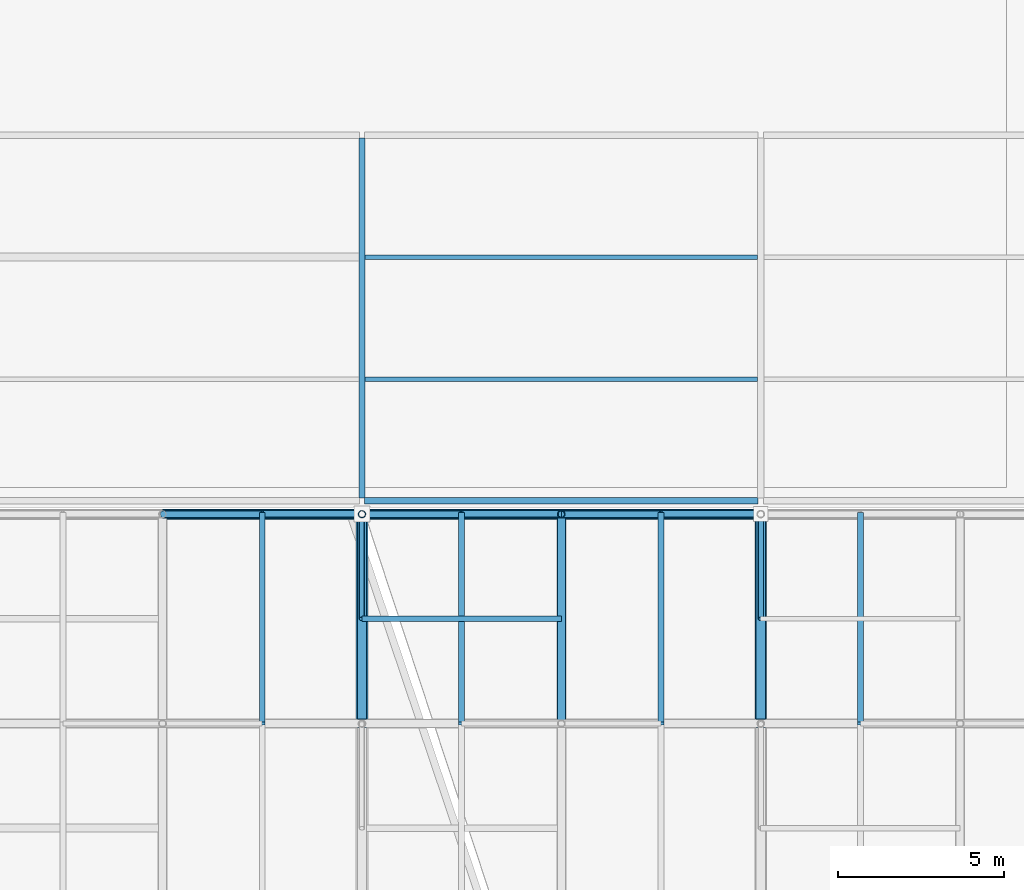
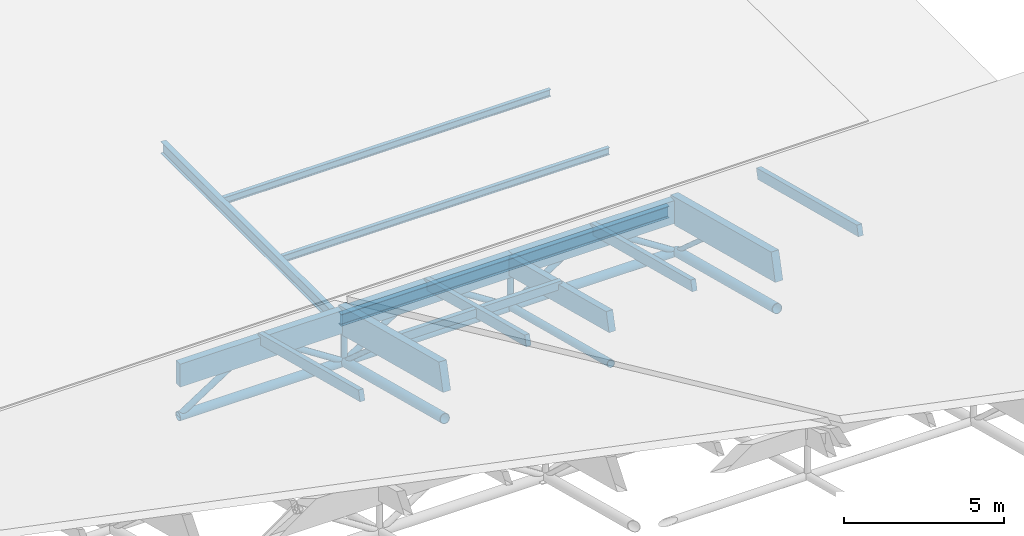
# One storey, part 57 of 80: 27 members, 4 beams.
"""IFC4 building model written with IfcOpenShell, lengths in metres."""

import ifcopenshell
import ifcopenshell.guid

model = None  # the IFC model being written
_history = None  # IfcOwnerHistory: only IFC2X3 demands one
_inside = {}  # id of a spatial element -> (the spatial element, [elements in it])
_under = {}  # id of a project, library or spatial element -> (it, [spatial elements below it])
_declared = {}  # id of a project -> (the project, [libraries it declares])
_typed = {}  # id of a type object -> (the type object, [elements of that type])
_made_of = {}  # id of a material, layer set ... -> (it, [elements and type objects made of it])


def new_model(schema):
    """Start an empty IFC model of exactly this schema.

    Asked for "IFC4X3", IfcOpenShell would pick the latest addendum, in which some entities
    have other attributes; the version numbers below select the first issue.
    IFC2X3 requires an IfcOwnerHistory on every rooted entity: one is made here for all.
    """
    global model, _history
    if schema == "IFC4X3":
        model = ifcopenshell.file(schema_version=(4, 3, 0, 0))
    else:
        model = ifcopenshell.file(schema=schema)
    _inside.clear()
    _under.clear()
    _declared.clear()
    _typed.clear()
    _made_of.clear()
    _history = None
    if model.schema == "IFC2X3":
        org = make("IfcOrganization", Name="unknown")
        user = make(
            "IfcPersonAndOrganization",
            ThePerson=make("IfcPerson", FamilyName="unknown"),
            TheOrganization=org,
        )
        app = make(
            "IfcApplication",
            ApplicationDeveloper=org,
            Version="unknown",
            ApplicationFullName="unknown",
            ApplicationIdentifier="unknown",
        )
        _history = make(
            "IfcOwnerHistory",
            OwningUser=user,
            OwningApplication=app,
            ChangeAction="ADDED",
            CreationDate=0,
        )
    return model


def make(cls, **values):
    """One entity of the class cls with the attributes given. An attribute that is None is left unset."""
    return model.create_entity(
        cls, **{name: value for name, value in values.items() if value is not None}
    )


def rooted(cls, **values):
    """An entity with a GlobalId (a new one), such as an element, a storey or a relation."""
    return make(cls, GlobalId=ifcopenshell.guid.new(), OwnerHistory=_history, **values)


def si_unit(unit_type, name, prefix=None):
    """IfcSIUnit, for example si_unit("LENGTHUNIT", "METRE", prefix="MILLI")."""
    return make("IfcSIUnit", UnitType=unit_type, Prefix=prefix, Name=name)


def assignment(units):
    """IfcUnitAssignment: the units of a project."""
    return None if units is None else make("IfcUnitAssignment", Units=units)


def point(xyz):
    """IfcCartesianPoint."""
    return None if xyz is None else make("IfcCartesianPoint", Coordinates=xyz)


def direction(xyz):
    """IfcDirection."""
    return None if xyz is None else make("IfcDirection", DirectionRatios=xyz)


def frame(location, z_axis=None, x_axis=None):
    """IfcAxis2Placement3D, a coordinate frame: its origin and axes. An axis left out is left unset."""
    return make(
        "IfcAxis2Placement3D",
        Location=point(location),
        Axis=direction(z_axis),
        RefDirection=direction(x_axis),
    )


def frame_2d(location, x_axis=None):
    """IfcAxis2Placement2D, a coordinate frame in the plane: its origin and x axis."""
    return make(
        "IfcAxis2Placement2D", Location=point(location), RefDirection=direction(x_axis)
    )


def origin():
    """The frame at (0, 0, 0) with its axes left unset."""
    return frame((0.0, 0.0, 0.0))


def origin_2d():
    """The frame at (0, 0) in the plane with its x axis left unset."""
    return frame_2d((0.0, 0.0))


def place(relative_to, where):
    """IfcLocalPlacement: puts the frame where relative to a parent placement (None: the world)."""
    return make(
        "IfcLocalPlacement", PlacementRelTo=relative_to, RelativePlacement=where
    )


def context(
    kind, dimensions, precision=None, world=None, true_north=None, identifier=None
):
    """IfcGeometricRepresentationContext, for example the 3D "Model" context."""
    return make(
        "IfcGeometricRepresentationContext",
        ContextIdentifier=identifier,
        ContextType=kind,
        CoordinateSpaceDimension=dimensions,
        Precision=precision,
        WorldCoordinateSystem=world,
        TrueNorth=true_north,
    )


def subcontext(parent, identifier, kind, view, scale=None):
    """IfcGeometricRepresentationSubContext, for example "Body" below "Model"."""
    return make(
        "IfcGeometricRepresentationSubContext",
        ContextIdentifier=identifier,
        ContextType=kind,
        ParentContext=parent,
        TargetScale=scale,
        TargetView=view,
    )


def project(units=None, contexts=None):
    """IfcProject with its units and contexts."""
    return rooted(
        "IfcProject",
        Name="project",
        RepresentationContexts=contexts,
        UnitsInContext=assignment(units),
    )


def spatial(cls, under=None, at=None, **own):
    """A site, building, storey or space (cls), placed at a placement, below another one or the project."""
    s = rooted(cls, ObjectPlacement=at, **own)
    if under is not None:
        _under.setdefault(under.id(), (under, []))[1].append(s)
    return s


def profile(cls, at=None, kind="AREA", **sizes):
    """A parametric profile (cls). Its sizes go by their IFC names, for example OverallWidth=200.0."""
    return make(cls, ProfileType=kind, Position=at, **sizes)


def rectangle(**sizes):
    """IfcRectangleProfileDef."""
    return profile("IfcRectangleProfileDef", **sizes)


def hollow_circle(**sizes):
    """IfcCircleHollowProfileDef."""
    return profile("IfcCircleHollowProfileDef", **sizes)


def i_section(**sizes):
    """IfcIShapeProfileDef."""
    return profile("IfcIShapeProfileDef", **sizes)


def extrude(swept, where, along, depth):
    """IfcExtrudedAreaSolid: the profile swept, set in the frame where, extruded along a direction by depth."""
    return make(
        "IfcExtrudedAreaSolid",
        SweptArea=swept,
        Position=where,
        ExtrudedDirection=direction(along),
        Depth=depth,
    )


def shape(context_of_items, identifier, shape_type, items):
    """IfcShapeRepresentation: the items that make up one representation, for example the "Body"."""
    return make(
        "IfcShapeRepresentation",
        ContextOfItems=context_of_items,
        RepresentationIdentifier=identifier,
        RepresentationType=shape_type,
        Items=items,
    )


def material(Name=None, Category=None):
    """IfcMaterial."""
    return make("IfcMaterial", Name=Name, Category=Category)


def material_profile(
    of_material, cross_section, Name=None, Category=None, Priority=None
):
    """IfcMaterialProfile: a cross section and its material."""
    return make(
        "IfcMaterialProfile",
        Name=Name,
        Material=of_material,
        Profile=cross_section,
        Priority=Priority,
        Category=Category,
    )


def profile_set(profiles, Name=None, composite=None):
    """IfcMaterialProfileSet."""
    return make(
        "IfcMaterialProfileSet",
        Name=Name,
        MaterialProfiles=profiles,
        CompositeProfile=composite,
    )


def made_of(thing, what):
    """Note that an element or type object is made of a material, layer set ...; save() writes the relation."""
    if what is not None:
        _made_of.setdefault(what.id(), (what, []))[1].append(thing)
    return thing


def type_object(cls, material=None, **own):
    """A type object (cls), such as IfcWallType, which elements share."""
    return made_of(rooted(cls, **own), material)


def element(
    cls,
    number,
    at=None,
    inside=None,
    cuts=None,
    type_object=None,
    material=None,
    context=None,
    identifier="Body",
    shape_type=None,
    held_by="IfcProductDefinitionShape",
    body=None,
    shapes=None,
    **own,
):
    """One element of the class cls, such as IfcWall. Its Tag is "e" and its number.

    at: its placement. inside: the storey or other place that contains it. cuts: it is an
    opening in that element (IfcRelVoidsElement). A single representation is given by context,
    identifier, shape_type and body (its items); several are given by shapes. held_by: the class
    of the entity that holds the representations. save() writes the other relations.
    """
    e = rooted(cls, Tag="e%d" % number, ObjectPlacement=at, **own)
    if body is not None:
        shapes = [shape(context, identifier, shape_type, body)]
    if shapes is not None:
        e.Representation = make(held_by, Representations=shapes)
    if inside is not None:
        _inside.setdefault(inside.id(), (inside, []))[1].append(e)
    if cuts is not None:
        rooted(
            "IfcRelVoidsElement", RelatingBuildingElement=cuts, RelatedOpeningElement=e
        )
    if type_object is not None:
        _typed.setdefault(type_object.id(), (type_object, []))[1].append(e)
    return made_of(e, material)


def aggregate(whole, parts):
    """IfcRelAggregates: a whole, such as a stair, and the parts it consists of."""
    return rooted("IfcRelAggregates", RelatingObject=whole, RelatedObjects=parts)


def save(model, path):
    """Write the relations noted so far, then the file.

    IfcRelAggregates (storeys below a building ...), IfcRelContainedInSpatialStructure (elements
    in a storey), IfcRelDefinesByType, IfcRelAssociatesMaterial and IfcRelDeclares: one each for
    every whole, place, type object, material and project.
    """
    for whole, parts in _under.values():
        aggregate(whole, parts)
    for where, things in _inside.values():
        rooted(
            "IfcRelContainedInSpatialStructure",
            RelatedElements=things,
            RelatingStructure=where,
        )
    for kind, things in _typed.values():
        rooted("IfcRelDefinesByType", RelatedObjects=things, RelatingType=kind)
    for what, things in _made_of.values():
        rooted("IfcRelAssociatesMaterial", RelatedObjects=things, RelatingMaterial=what)
    for by, libraries in _declared.values():
        rooted("IfcRelDeclares", RelatingContext=by, RelatedDefinitions=libraries)
    model.write(path)


model = new_model("IFC4")

# Units and contexts
model_context = context("Model", 3, precision=1e-05, world=origin(), true_north=direction((0.0, 1.0)))
body_context = subcontext(model_context, "Body", "Model", "MODEL_VIEW")
ifc_project = project(units=[si_unit("LENGTHUNIT", "METRE"), si_unit("AREAUNIT", "SQUARE_METRE"), si_unit("VOLUMEUNIT", "CUBIC_METRE"), si_unit("PLANEANGLEUNIT", "RADIAN"), si_unit("MASSUNIT", "GRAM", prefix="KILO"), si_unit("THERMODYNAMICTEMPERATUREUNIT", "KELVIN"), si_unit("POWERUNIT", "WATT")], contexts=[model_context])

# Site, building, storey
site_placement = place(None, origin())
site = spatial("IfcSite", under=ifc_project, at=site_placement, CompositionType="ELEMENT")
building_placement = place(site_placement, origin())
building = spatial("IfcBuilding", under=site, at=building_placement, Name="Solmara Park Aquatics Centre", CompositionType="ELEMENT")
storey_placement = place(building_placement, frame((0.0, 0.0, 22.800048828125)))
storey = spatial("IfcBuildingStorey", under=building, at=storey_placement, Name="RF", CompositionType="ELEMENT", Elevation=22.800048828125)

# Beams
ifc_material_1 = material(Name="Structural Steel S355", Category="steel")
ifc_material_profile_1 = material_profile(ifc_material_1, i_section(OverallWidth=0.18994140625, OverallDepth=0.449951171875, WebThickness=0.009521484375, FlangeThickness=0.0146484375, FilletRadius=0.02099609375, at=origin_2d()), Name="IPE 450")
ifc_profile_set_1 = profile_set([ifc_material_profile_1], Name="Structural Steel S355")
beam_type_1 = type_object("IfcBeamType", Name="STR-BM-IPE450", PredefinedType="BEAM", material=ifc_profile_set_1)
beam_1_placement = place(storey_placement, frame((36.679931640625, 85.60009765625, -13.06494140625), z_axis=(1.0, 0.0, 0.0), x_axis=(0.0, 1.0, 0.0)))
element("IfcBeam", 1, at=beam_1_placement, inside=storey, type_object=beam_type_1, Name="Girder BM-RF-0551", PredefinedType="BEAM", context=body_context, shape_type="SweptSolid", body=[
    extrude(i_section(OverallWidth=0.18994140625, OverallDepth=0.449951171875, WebThickness=0.009521484375, FlangeThickness=0.0146484375, FilletRadius=0.02099609375, at=origin_2d()), origin(), (0.0, 0.0, 1.0), 11.840087890625),
])
beam_2_placement = place(storey_placement, frame((36.60009765625, 85.679931640625, -13.06494140625), z_axis=(0.0, 1.0, 0.0), x_axis=(-1.0, 0.0, 0.0)))
element("IfcBeam", 2, at=beam_2_placement, inside=storey, type_object=beam_type_1, Name="Girder BM-RF-0559", PredefinedType="BEAM", context=body_context, shape_type="SweptSolid", body=[
    extrude(i_section(OverallWidth=0.18994140625, OverallDepth=0.449951171875, WebThickness=0.009521484375, FlangeThickness=0.0146484375, FilletRadius=0.02099609375, at=origin_2d()), origin(), (0.0, 0.0, 1.0), 10.840087890625),
])

# Members
ifc_material_profile_2 = material_profile(ifc_material_1, hollow_circle(Radius=0.084228515625, WallThickness=0.008056640625, at=origin_2d()), Name="CHS 168.3x8")
ifc_profile_set_2 = profile_set([ifc_material_profile_2], Name="Structural Steel S355")
member_type_1 = type_object("IfcMemberType", Name="STR-BRC-CHS168", PredefinedType="BRACE", material=ifc_profile_set_2)
for number, where, z_axis, x_axis, name in (
    (3, (36.60009765625, 85.199951171875, -14.400146484375), (0.0, -0.748026356938, 0.663669020917), (1.0, 0.0, 0.0), "Roof Truss Web Diagonal Y 2165"),
    (4, (48.60009765625, 85.199951171875, -14.400146484375), (0.0, -0.748026356938, 0.663669020917), (1.0, 0.0, 0.0), "Roof Truss Web Diagonal Y 2166"),
):
    element("IfcMember", number, at=place(storey_placement, frame(where, z_axis=z_axis, x_axis=x_axis)), inside=storey, type_object=member_type_1, Name=name, PredefinedType="BRACE", context=body_context, shape_type="SweptSolid", body=[
        extrude(hollow_circle(Radius=0.084228515625, WallThickness=0.008056640625, at=origin_2d()), origin(), (0.0, 0.0, 1.0), 4.2109375),
    ])
ifc_material_profile_3 = material_profile(ifc_material_1, hollow_circle(Radius=0.109619140625, WallThickness=0.010009765625, at=origin_2d()), Name="CHS 219.1x10")
ifc_profile_set_3 = profile_set([ifc_material_profile_3], Name="Structural Steel S355")
member_type_2 = type_object("IfcMemberType", Name="STR-BRC-CHS219", PredefinedType="BRACE", material=ifc_profile_set_3)
for number, where, z_axis, x_axis, name in (
    (5, (30.60009765625, 85.199951171875, -14.400146484375), (0.839696636896, 0.0, 0.543055759555), (0.0, 1.0, 0.0), "Roof Truss Web Diagonal X 1501"),
    (6, (36.60009765625, 85.199951171875, -14.400146484375), (-0.839696636896, 0.0, 0.543055759555), (0.0, -1.0, 0.0), "Roof Truss Web Diagonal X 1502"),
    (7, (36.60009765625, 85.199951171875, -14.400146484375), (0.839696636896, 0.0, 0.543055759555), (0.0, 1.0, 0.0), "Roof Truss Web Diagonal X 1531"),
    (8, (42.60009765625, 85.199951171875, -14.400146484375), (-0.839696636896, 0.0, 0.543055759555), (0.0, -1.0, 0.0), "Roof Truss Web Diagonal X 1532"),
    (9, (42.60009765625, 85.199951171875, -14.400146484375), (0.839696636896, 0.0, 0.543055759555), (0.0, 1.0, 0.0), "Roof Truss Web Diagonal X 1561"),
    (10, (48.60009765625, 85.199951171875, -14.400146484375), (-0.839696636896, 0.0, 0.543055759555), (0.0, -1.0, 0.0), "Roof Truss Web Diagonal X 1562"),
):
    element("IfcMember", number, at=place(storey_placement, frame(where, z_axis=z_axis, x_axis=x_axis)), inside=storey, type_object=member_type_2, Name=name, PredefinedType="BRACE", context=body_context, shape_type="SweptSolid", body=[
        extrude(hollow_circle(Radius=0.109619140625, WallThickness=0.010009765625, at=origin_2d()), origin(), (0.0, 0.0, 1.0), 3.57275390625),
    ])
ifc_material_profile_4 = material_profile(ifc_material_1, hollow_circle(Radius=0.136474609375, WallThickness=0.012451171875, at=origin_2d()), Name="CHS 273x12.5")
ifc_profile_set_4 = profile_set([ifc_material_profile_4], Name="Structural Steel S355")
member_type_3 = type_object("IfcMemberType", Name="STR-CHD-CHS273", PredefinedType="CHORD", material=ifc_profile_set_4)
member_1_placement = place(storey_placement, frame((42.60009765625, 78.89990234375, -12.770751953125), z_axis=(0.0, 0.968144245908, -0.25039312913), x_axis=(-1.0, 0.0, 0.0)))
element("IfcMember", 11, at=member_1_placement, inside=storey, type_object=member_type_3, Name="Steel Roof Truss Bottom Chord Y 0764", PredefinedType="CHORD", context=body_context, shape_type="SweptSolid", body=[
    extrude(hollow_circle(Radius=0.136474609375, WallThickness=0.012451171875, at=origin_2d()), origin(), (0.0, 0.0, 1.0), 6.50732421875),
])
ifc_material_profile_5 = material_profile(ifc_material_1, hollow_circle(Radius=0.161865234375, WallThickness=0.01611328125, at=origin_2d()), Name="CHS 323.9x16")
ifc_profile_set_5 = profile_set([ifc_material_profile_5], Name="Structural Steel S355")
member_type_4 = type_object("IfcMemberType", Name="STR-CHD-CHS323", PredefinedType="CHORD", material=ifc_profile_set_5)
for number, where, z_axis, x_axis, name in (
    (12, (30.60009765625, 85.199951171875, -14.400146484375), (1.0, 0.0, 0.0), (0.0, 1.0, 0.0), "Steel Roof Truss Bottom Chord X 0516"),
    (13, (36.60009765625, 85.199951171875, -14.400146484375), (1.0, 0.0, 0.0), (0.0, 1.0, 0.0), "Steel Roof Truss Bottom Chord X 0518"),
    (14, (42.60009765625, 85.199951171875, -14.400146484375), (1.0, 0.0, 0.0), (0.0, 1.0, 0.0), "Steel Roof Truss Bottom Chord X 0520"),
):
    element("IfcMember", number, at=place(storey_placement, frame(where, z_axis=z_axis, x_axis=x_axis)), inside=storey, type_object=member_type_4, Name=name, PredefinedType="CHORD", context=body_context, shape_type="SweptSolid", body=[
        extrude(hollow_circle(Radius=0.161865234375, WallThickness=0.01611328125, at=origin_2d()), origin(), (0.0, 0.0, 1.0), 6.0),
    ])
ifc_material_profile_6 = material_profile(ifc_material_1, hollow_circle(Radius=0.177734375, WallThickness=0.01611328125, at=origin_2d()), Name="CHS 355.6x16")
ifc_profile_set_6 = profile_set([ifc_material_profile_6], Name="Structural Steel S355")
member_type_5 = type_object("IfcMemberType", Name="STR-CHD-CHS355", PredefinedType="CHORD", material=ifc_profile_set_6)
for number, where, z_axis, x_axis, name in (
    (15, (36.60009765625, 78.89990234375, -12.770751953125), (0.0, 0.968144245908, -0.25039312913), (-1.0, 0.0, 0.0), "Steel Roof Truss Bottom Chord Y 0736"),
    (16, (48.60009765625, 78.89990234375, -12.770751953125), (0.0, 0.968144245908, -0.25039312913), (-1.0, 0.0, 0.0), "Steel Roof Truss Bottom Chord Y 0792"),
):
    element("IfcMember", number, at=place(storey_placement, frame(where, z_axis=z_axis, x_axis=x_axis)), inside=storey, type_object=member_type_5, Name=name, PredefinedType="CHORD", context=body_context, shape_type="SweptSolid", body=[
        extrude(hollow_circle(Radius=0.177734375, WallThickness=0.01611328125, at=origin_2d()), origin(), (0.0, 0.0, 1.0), 6.50732421875),
    ])
ifc_material_2 = material(Name="Glulam Timber GL28h", Category="wood")
ifc_material_profile_7 = material_profile(ifc_material_2, rectangle(XDim=0.239990234375, YDim=0.719970703125, at=origin_2d()), Name="GL28h 240x720")
ifc_profile_set_7 = profile_set([ifc_material_profile_7], Name="Glulam Timber GL28h")
member_type_6 = type_object("IfcMemberType", Name="STR-CHD-GL240x720", PredefinedType="CHORD", material=ifc_profile_set_7)
member_2_placement = place(storey_placement, frame((42.60009765625, 78.89990234375, -11.150634765625), z_axis=(0.0, 0.968144245908, -0.25039312913), x_axis=(-1.0, 0.0, 0.0)))
element("IfcMember", 17, at=member_2_placement, inside=storey, type_object=member_type_6, Name="Glulam Roof Truss Top Chord Y 0763", PredefinedType="CHORD", context=body_context, shape_type="SweptSolid", body=[
    extrude(rectangle(XDim=0.239990234375, YDim=0.719970703125, at=origin_2d()), origin(), (0.0, 0.0, 1.0), 6.50732421875),
])
ifc_material_profile_8 = material_profile(ifc_material_2, rectangle(XDim=0.260009765625, YDim=0.8798828125, at=origin_2d()), Name="GL28h 260x880")
ifc_profile_set_8 = profile_set([ifc_material_profile_8], Name="Glulam Timber GL28h")
member_type_7 = type_object("IfcMemberType", Name="STR-CHD-GL260x880", PredefinedType="CHORD", material=ifc_profile_set_8)
for number, where, z_axis, x_axis, name in (
    (18, (30.60009765625, 85.199951171875, -12.780029296875), (1.0, 0.0, 0.0), (0.0, 1.0, 0.0), "Glulam Roof Truss Top Chord X 0515"),
    (19, (36.60009765625, 85.199951171875, -12.780029296875), (1.0, 0.0, 0.0), (0.0, 1.0, 0.0), "Glulam Roof Truss Top Chord X 0517"),
    (20, (42.60009765625, 85.199951171875, -12.780029296875), (1.0, 0.0, 0.0), (0.0, 1.0, 0.0), "Glulam Roof Truss Top Chord X 0519"),
):
    element("IfcMember", number, at=place(storey_placement, frame(where, z_axis=z_axis, x_axis=x_axis)), inside=storey, type_object=member_type_7, Name=name, PredefinedType="CHORD", context=body_context, shape_type="SweptSolid", body=[
        extrude(rectangle(XDim=0.260009765625, YDim=0.8798828125, at=origin_2d()), origin(), (0.0, 0.0, 1.0), 6.0),
    ])
ifc_material_profile_9 = material_profile(ifc_material_2, rectangle(XDim=0.280029296875, YDim=1.0400390625, at=origin_2d()), Name="GL28h 280x1040")
ifc_profile_set_9 = profile_set([ifc_material_profile_9], Name="Glulam Timber GL28h")
member_type_8 = type_object("IfcMemberType", Name="STR-CHD-GL280x1040", PredefinedType="CHORD", material=ifc_profile_set_9)
for number, where, z_axis, x_axis, name in (
    (21, (36.60009765625, 78.89990234375, -11.150634765625), (0.0, 0.968144245908, -0.25039312913), (-1.0, 0.0, 0.0), "Glulam Roof Truss Top Chord Y 0735"),
    (22, (48.60009765625, 78.89990234375, -11.150634765625), (0.0, 0.968144245908, -0.25039312913), (-1.0, 0.0, 0.0), "Glulam Roof Truss Top Chord Y 0791"),
):
    element("IfcMember", number, at=place(storey_placement, frame(where, z_axis=z_axis, x_axis=x_axis)), inside=storey, type_object=member_type_8, Name=name, PredefinedType="CHORD", context=body_context, shape_type="SweptSolid", body=[
        extrude(rectangle(XDim=0.280029296875, YDim=1.0400390625, at=origin_2d()), origin(), (0.0, 0.0, 1.0), 6.50732421875),
    ])

# Beams
ifc_material_profile_10 = material_profile(ifc_material_1, i_section(OverallWidth=0.135009765625, OverallDepth=0.27001953125, WebThickness=0.006591796875, FlangeThickness=0.01025390625, FilletRadius=0.014892578125, at=origin_2d()), Name="IPE 270")
ifc_profile_set_10 = profile_set([ifc_material_profile_10], Name="Structural Steel S355")
beam_type_2 = type_object("IfcBeamType", Name="STR-JST-IPE270", PredefinedType="JOIST", material=ifc_profile_set_10)
for number, where, z_axis, x_axis, name in (
    (23, (36.695068359375, 89.2666015625, -12.97509765625), (1.0, 0.0, 0.0), (0.0, 1.0, 0.0), "Floor Joist JST-RF-0310"),
    (24, (36.695068359375, 92.933349609375, -12.97509765625), (1.0, 0.0, 0.0), (0.0, 1.0, 0.0), "Floor Joist JST-RF-0311"),
):
    element("IfcBeam", number, at=place(storey_placement, frame(where, z_axis=z_axis, x_axis=x_axis)), inside=storey, type_object=beam_type_2, Name=name, PredefinedType="JOIST", context=body_context, shape_type="SweptSolid", body=[
        extrude(i_section(OverallWidth=0.135009765625, OverallDepth=0.27001953125, WebThickness=0.006591796875, FlangeThickness=0.01025390625, FilletRadius=0.014892578125, at=origin_2d()), origin(), (0.0, 0.0, 1.0), 11.809814453125),
    ])

# Members
ifc_material_profile_11 = material_profile(ifc_material_2, rectangle(XDim=0.159912109375, YDim=0.320068359375, at=origin_2d()), Name="GL28h 160x320")
ifc_profile_set_11 = profile_set([ifc_material_profile_11], Name="Glulam Timber GL28h")
member_type_9 = type_object("IfcMemberType", Name="STR-PRL-GL160x320", PredefinedType="PURLIN", material=ifc_profile_set_11)
member_3_placement = place(storey_placement, frame((36.60009765625, 82.050048828125, -11.62548828125), z_axis=(1.0, 0.0, 0.0), x_axis=(0.0, 1.0, 0.0)))
element("IfcMember", 25, at=member_3_placement, inside=storey, type_object=member_type_9, Name="Glulam Secondary Roof Purlin 2155", PredefinedType="PURLIN", context=body_context, shape_type="SweptSolid", body=[
    extrude(rectangle(XDim=0.159912109375, YDim=0.320068359375, at=origin_2d()), origin(), (0.0, 0.0, 1.0), 6.0),
])
ifc_material_profile_12 = material_profile(ifc_material_2, rectangle(XDim=0.179931640625, YDim=0.39990234375, at=origin_2d()), Name="GL28h 180x400")
ifc_profile_set_12 = profile_set([ifc_material_profile_12], Name="Glulam Timber GL28h")
member_type_10 = type_object("IfcMemberType", Name="STR-PRL-GL180x400", PredefinedType="PURLIN", material=ifc_profile_set_12)
for number, where, z_axis, x_axis, name in (
    (26, (33.60009765625, 78.89990234375, -10.830810546875), (0.0, 0.96815334027, -0.250357963171), (-1.0, 0.0, 0.0), "Glulam Roof Purlin 1488"),
    (27, (39.60009765625, 78.89990234375, -10.830810546875), (0.0, 0.96815334027, -0.250357963171), (-1.0, 0.0, 0.0), "Glulam Roof Purlin 1516"),
    (28, (45.60009765625, 78.89990234375, -10.830810546875), (0.0, 0.96815334027, -0.250357963171), (-1.0, 0.0, 0.0), "Glulam Roof Purlin 1546"),
    (29, (51.60009765625, 78.89990234375, -10.830810546875), (0.0, 0.96815334027, -0.250357963171), (-1.0, 0.0, 0.0), "Glulam Roof Purlin 1576"),
):
    element("IfcMember", number, at=place(storey_placement, frame(where, z_axis=z_axis, x_axis=x_axis)), inside=storey, type_object=member_type_10, Name=name, PredefinedType="PURLIN", context=body_context, shape_type="SweptSolid", body=[
        extrude(rectangle(XDim=0.179931640625, YDim=0.39990234375, at=origin_2d()), origin(), (0.0, 0.0, 1.0), 6.50732421875),
    ])
ifc_material_profile_13 = material_profile(ifc_material_1, hollow_circle(Radius=0.109619140625, WallThickness=0.010009765625, at=origin_2d()), Name="CHS 219.1x10")
ifc_profile_set_13 = profile_set([ifc_material_profile_13], Name="Structural Steel S355")
member_type_11 = type_object("IfcMemberType", Name="STR-PST-CHS219", PredefinedType="POST", material=ifc_profile_set_13)
for number, where, z_axis, x_axis, name in (
    (30, (36.60009765625, 85.199951171875, -14.400146484375), (0.0, 0.0, 1.0), (1.0, 0.0, 0.0), "Roof Truss Web Post 1170"),
    (31, (42.60009765625, 85.199951171875, -14.400146484375), (0.0, 0.0, 1.0), (1.0, 0.0, 0.0), "Roof Truss Web Post 1185"),
):
    element("IfcMember", number, at=place(storey_placement, frame(where, z_axis=z_axis, x_axis=x_axis)), inside=storey, type_object=member_type_11, Name=name, PredefinedType="POST", context=body_context, shape_type="SweptSolid", body=[
        extrude(hollow_circle(Radius=0.109619140625, WallThickness=0.010009765625, at=origin_2d()), origin(), (0.0, 0.0, 1.0), 1.6201171875),
    ])

save(model, "model.ifc")
